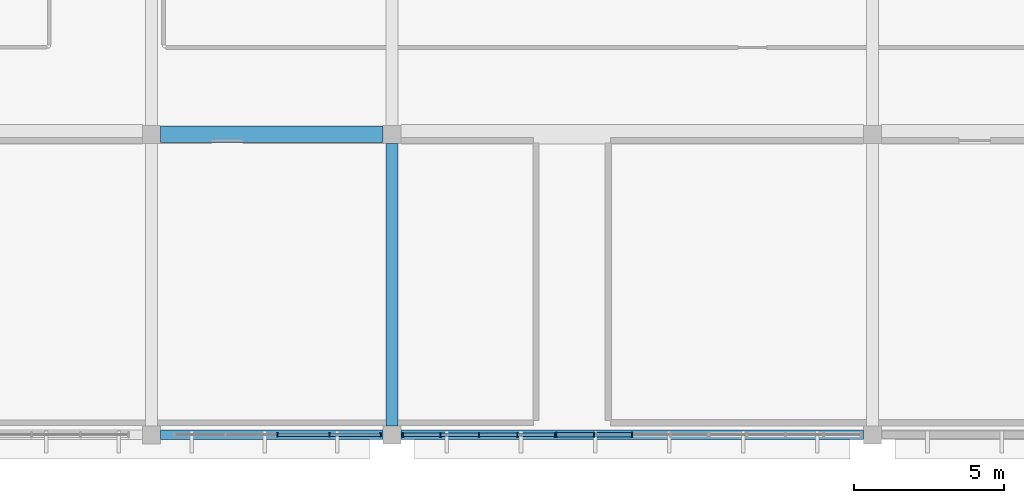
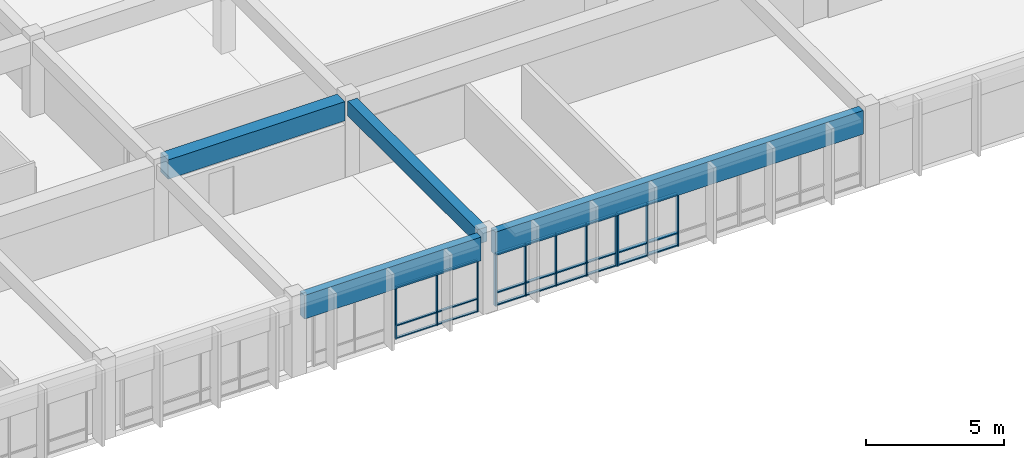
# One storey, part 29 of 155: 35 members, 4 beams, 3 elements without a shape of their own.
"""IFC4 building model written with IfcOpenShell, lengths in metres."""

from ifc_helpers import new_model, si_unit, direction, frame, origin, origin_2d, place, context, subcontext, project, spatial, rectangle, extrude, material, material_profile, profile_set, type_object, element, aggregate, save


model = new_model("IFC4")

# Units and contexts
model_context = context("Model", 3, precision=1e-05, world=origin(), true_north=direction((0.0, 1.0)))
body_context = subcontext(model_context, "Body", "Model", "MODEL_VIEW")
ifc_project = project(units=[si_unit("LENGTHUNIT", "METRE"), si_unit("AREAUNIT", "SQUARE_METRE"), si_unit("VOLUMEUNIT", "CUBIC_METRE"), si_unit("PLANEANGLEUNIT", "RADIAN"), si_unit("MASSUNIT", "GRAM", prefix="KILO")], contexts=[model_context])

# Site, building, storey
site_placement = place(None, origin())
site = spatial("IfcSite", under=ifc_project, at=site_placement, CompositionType="ELEMENT")
building_placement = place(site_placement, origin())
building = spatial("IfcBuilding", under=site, at=building_placement, Name="Larkveld Mobility Hub", CompositionType="ELEMENT")
storey_placement = place(building_placement, frame((0.0, 0.0, 8.39990234375)))
storey = spatial("IfcBuildingStorey", under=building, at=storey_placement, Name="L02", CompositionType="ELEMENT", Elevation=8.39990234375)

# Beams
ifc_material_1 = material(Name="Concrete C40/50", Category="concrete")
ifc_material_profile_1 = material_profile(ifc_material_1, rectangle(XDim=0.39990234375, YDim=0.64990234375, at=origin_2d()), Name="RC BM 400x650")
ifc_profile_set_1 = profile_set([ifc_material_profile_1], Name="Concrete C40/50")
beam_type_1 = type_object("IfcBeamType", Name="BM-RC4065", PredefinedType="BEAM", material=ifc_profile_set_1)
beam_1_placement = place(storey_placement, frame((152.0, 0.300048828125, 3.03515625), z_axis=(0.0, 1.0, 0.0), x_axis=(-1.0, 0.0, 0.0)))
element("IfcBeam", 1, at=beam_1_placement, inside=storey, type_object=beam_type_1, Name="Primary N-S Girder L02-0671", PredefinedType="BEAM", context=body_context, shape_type="SweptSolid", body=[
    extrude(rectangle(XDim=0.39990234375, YDim=0.64990234375, at=origin_2d()), origin(), (0.0, 0.0, 1.0), 9.39990234375),
])
ifc_material_profile_2 = material_profile(ifc_material_1, rectangle(XDim=0.550048828125, YDim=0.85009765625, at=origin_2d()), Name="RC BM 550x850")
ifc_profile_set_2 = profile_set([ifc_material_profile_2], Name="Concrete C40/50")
beam_type_2 = type_object("IfcBeamType", Name="BM-RC5585", PredefinedType="BEAM", material=ifc_profile_set_2)
beam_2_placement = place(storey_placement, frame((144.300048828125, 10.0, 2.93505859375), z_axis=(1.0, 0.0, 0.0), x_axis=(0.0, 1.0, 0.0)))
element("IfcBeam", 2, at=beam_2_placement, inside=storey, type_object=beam_type_2, Name="Primary E-W Girder L02-0495", PredefinedType="BEAM", context=body_context, shape_type="SweptSolid", body=[
    extrude(rectangle(XDim=0.550048828125, YDim=0.85009765625, at=origin_2d()), origin(), (0.0, 0.0, 1.0), 7.39990234375),
])
ifc_material_2 = material(Name="Precast concrete C50/60", Category="concrete")
ifc_material_profile_3 = material_profile(ifc_material_2, rectangle(XDim=0.320068359375, YDim=1.050048828125, at=origin_2d()), Name="PC SP 320x1050")
ifc_profile_set_3 = profile_set([ifc_material_profile_3], Name="Precast concrete C50/60")
beam_type_3 = type_object("IfcBeamType", Name="BM-SP32105", PredefinedType="SPANDREL", material=ifc_profile_set_3)
beam_3_placement = place(storey_placement, frame((144.300048828125, 0.0, 2.835205078125), z_axis=(1.0, 0.0, 0.0), x_axis=(0.0, 1.0, 0.0)))
element("IfcBeam", 3, at=beam_3_placement, inside=storey, type_object=beam_type_3, Name="Primary E-W Girder L02-0488", PredefinedType="SPANDREL", context=body_context, shape_type="SweptSolid", body=[
    extrude(rectangle(XDim=0.320068359375, YDim=1.050048828125, at=origin_2d()), origin(), (0.0, 0.0, 1.0), 7.39990234375),
])
beam_4_placement = place(storey_placement, frame((152.300048828125, 0.0, 2.835205078125), z_axis=(1.0, 0.0, 0.0), x_axis=(0.0, 1.0, 0.0)))
element("IfcBeam", 4, at=beam_4_placement, inside=storey, type_object=beam_type_3, Name="Primary E-W Girder L02-0489", PredefinedType="SPANDREL", context=body_context, shape_type="SweptSolid", body=[
    extrude(rectangle(XDim=0.320068359375, YDim=1.050048828125, at=origin_2d()), origin(), (0.0, 0.0, 1.0), 15.39990234375),
])

# Curtain wall, members
ifc_material_3 = material(Name="Anodised aluminium 6063-T6", Category="aluminium")
curtain_wall_type_1 = type_object("IfcCurtainWallType", Name="CW-SYS-09", PredefinedType="NOTDEFINED", material=ifc_material_3)
curtain_wall_1_placement = place(storey_placement, origin())
curtain_wall_1 = element("IfcCurtainWall", 5, at=curtain_wall_1_placement, inside=storey, type_object=curtain_wall_type_1, Name="Service Wing South Glazing L02 CW-105", PredefinedType="NOTDEFINED")
ifc_material_profile_4 = material_profile(ifc_material_3, rectangle(XDim=0.050048828125, YDim=0.14990234375, at=origin_2d()), Name="ALU MULL 50x150")
ifc_profile_set_4 = profile_set([ifc_material_profile_4], Name="Anodised aluminium 6063-T6")
member_type_1 = type_object("IfcMemberType", Name="CW-MUL-01", PredefinedType="MULLION", material=ifc_profile_set_4)
member_1_placement = place(storey_placement, frame((152.375, 0.0, -0.001953125), z_axis=(0.0, 0.0, 1.0), x_axis=(1.0, 0.0, 0.0)))
member_1 = element("IfcMember", 6, at=member_1_placement, type_object=member_type_1, Name="CW09 mullion 1", PredefinedType="MULLION", context=body_context, shape_type="SweptSolid", body=[
    extrude(rectangle(XDim=0.050048828125, YDim=0.14990234375, at=origin_2d()), origin(), (0.0, 0.0, 1.0), 2.31201171875),
])
member_2_placement = place(storey_placement, frame((153.625, 0.0, -0.001953125), z_axis=(0.0, 0.0, 1.0), x_axis=(1.0, 0.0, 0.0)))
member_2 = element("IfcMember", 7, at=member_2_placement, type_object=member_type_1, Name="CW09 mullion 2", PredefinedType="MULLION", context=body_context, shape_type="SweptSolid", body=[
    extrude(rectangle(XDim=0.050048828125, YDim=0.14990234375, at=origin_2d()), origin(), (0.0, 0.0, 1.0), 2.31201171875),
])
member_3_placement = place(storey_placement, frame((154.89990234375, 0.0, -0.001953125), z_axis=(0.0, 0.0, 1.0), x_axis=(1.0, 0.0, 0.0)))
member_3 = element("IfcMember", 8, at=member_3_placement, type_object=member_type_1, Name="CW09 mullion 3", PredefinedType="MULLION", context=body_context, shape_type="SweptSolid", body=[
    extrude(rectangle(XDim=0.050048828125, YDim=0.14990234375, at=origin_2d()), origin(), (0.0, 0.0, 1.0), 2.31201171875),
])
member_4_placement = place(storey_placement, frame((156.175048828125, 0.0, -0.001953125), z_axis=(0.0, 0.0, 1.0), x_axis=(1.0, 0.0, 0.0)))
member_4 = element("IfcMember", 9, at=member_4_placement, type_object=member_type_1, Name="CW09 mullion 4", PredefinedType="MULLION", context=body_context, shape_type="SweptSolid", body=[
    extrude(rectangle(XDim=0.050048828125, YDim=0.14990234375, at=origin_2d()), origin(), (0.0, 0.0, 1.0), 2.31201171875),
])
member_5_placement = place(storey_placement, frame((157.425048828125, 0.0, -0.001953125), z_axis=(0.0, 0.0, 1.0), x_axis=(1.0, 0.0, 0.0)))
member_5 = element("IfcMember", 10, at=member_5_placement, type_object=member_type_1, Name="CW09 mullion 5", PredefinedType="MULLION", context=body_context, shape_type="SweptSolid", body=[
    extrude(rectangle(XDim=0.050048828125, YDim=0.14990234375, at=origin_2d()), origin(), (0.0, 0.0, 1.0), 2.31201171875),
])

curtain_wall_type_2 = type_object("IfcCurtainWallType", Name="CW-SYS-10", PredefinedType="NOTDEFINED", material=ifc_material_3)
curtain_wall_2_placement = place(storey_placement, origin())
curtain_wall_2 = element("IfcCurtainWall", 11, at=curtain_wall_2_placement, inside=storey, type_object=curtain_wall_type_2, Name="Service Wing South Glazing L02 CW-106", PredefinedType="NOTDEFINED")
ifc_material_profile_5 = material_profile(ifc_material_3, rectangle(XDim=0.050048828125, YDim=0.179931640625, at=origin_2d()), Name="ALU MULL 50x180")
ifc_profile_set_5 = profile_set([ifc_material_profile_5], Name="Anodised aluminium 6063-T6")
member_type_2 = type_object("IfcMemberType", Name="CW-MUL-02", PredefinedType="MULLION", material=ifc_profile_set_5)
member_6_placement = place(storey_placement, frame((157.47509765625, 0.0, -0.001953125), z_axis=(0.0, 0.0, 1.0), x_axis=(1.0, 0.0, 0.0)))
member_6 = element("IfcMember", 12, at=member_6_placement, type_object=member_type_2, Name="CW10 mullion 1", PredefinedType="MULLION", context=body_context, shape_type="SweptSolid", body=[
    extrude(rectangle(XDim=0.050048828125, YDim=0.179931640625, at=origin_2d()), origin(), (0.0, 0.0, 1.0), 2.31201171875),
])
member_7_placement = place(storey_placement, frame((158.72509765625, 0.0, -0.001953125), z_axis=(0.0, 0.0, 1.0), x_axis=(1.0, 0.0, 0.0)))
member_7 = element("IfcMember", 13, at=member_7_placement, type_object=member_type_2, Name="CW10 mullion 2", PredefinedType="MULLION", context=body_context, shape_type="SweptSolid", body=[
    extrude(rectangle(XDim=0.050048828125, YDim=0.179931640625, at=origin_2d()), origin(), (0.0, 0.0, 1.0), 2.31201171875),
])
member_8_placement = place(storey_placement, frame((160.0, 0.0, -0.001953125), z_axis=(0.0, 0.0, 1.0), x_axis=(1.0, 0.0, 0.0)))
member_8 = element("IfcMember", 14, at=member_8_placement, type_object=member_type_2, Name="CW10 mullion 3", PredefinedType="MULLION", context=body_context, shape_type="SweptSolid", body=[
    extrude(rectangle(XDim=0.050048828125, YDim=0.179931640625, at=origin_2d()), origin(), (0.0, 0.0, 1.0), 2.31201171875),
])

curtain_wall_type_3 = type_object("IfcCurtainWallType", Name="CW-SYS-08", PredefinedType="NOTDEFINED", material=ifc_material_3)
curtain_wall_3_placement = place(storey_placement, origin())
curtain_wall_3 = element("IfcCurtainWall", 15, at=curtain_wall_3_placement, inside=storey, type_object=curtain_wall_type_3, Name="Service Centre South Curtain Wall L02 CW-104", PredefinedType="NOTDEFINED")
ifc_material_profile_6 = material_profile(ifc_material_3, rectangle(XDim=0.050048828125, YDim=0.1298828125, at=origin_2d()), Name="ALU MULL 50x130")
ifc_profile_set_6 = profile_set([ifc_material_profile_6], Name="Anodised aluminium 6063-T6")
member_type_3 = type_object("IfcMemberType", Name="CW-MUL-04", PredefinedType="MULLION", material=ifc_profile_set_6)
member_9_placement = place(storey_placement, frame((148.195068359375, 0.0, -0.001953125), z_axis=(0.0, 0.0, 1.0), x_axis=(1.0, 0.0, 0.0)))
member_9 = element("IfcMember", 16, at=member_9_placement, type_object=member_type_3, Name="CW08 mullion 3", PredefinedType="MULLION", context=body_context, shape_type="SweptSolid", body=[
    extrude(rectangle(XDim=0.050048828125, YDim=0.1298828125, at=origin_2d()), origin(), (0.0, 0.0, 1.0), 2.31201171875),
])
member_10_placement = place(storey_placement, frame((149.923095703125, 0.0, -0.001953125), z_axis=(0.0, 0.0, 1.0), x_axis=(1.0, 0.0, 0.0)))
member_10 = element("IfcMember", 17, at=member_10_placement, type_object=member_type_3, Name="CW08 mullion 4", PredefinedType="MULLION", context=body_context, shape_type="SweptSolid", body=[
    extrude(rectangle(XDim=0.050048828125, YDim=0.1298828125, at=origin_2d()), origin(), (0.0, 0.0, 1.0), 2.31201171875),
])
member_11_placement = place(storey_placement, frame((151.625, 0.0, -0.001953125), z_axis=(0.0, 0.0, 1.0), x_axis=(1.0, 0.0, 0.0)))
member_11 = element("IfcMember", 18, at=member_11_placement, type_object=member_type_3, Name="CW08 mullion 5", PredefinedType="MULLION", context=body_context, shape_type="SweptSolid", body=[
    extrude(rectangle(XDim=0.050048828125, YDim=0.1298828125, at=origin_2d()), origin(), (0.0, 0.0, 1.0), 2.31201171875),
])

# Member
ifc_material_profile_7 = material_profile(ifc_material_3, rectangle(XDim=0.1201171875, YDim=0.050048828125, at=origin_2d()), Name="ALU TRAN 50x120")
ifc_profile_set_7 = profile_set([ifc_material_profile_7], Name="Anodised aluminium 6063-T6")
member_type_4 = type_object("IfcMemberType", Name="CW-TRN-01", PredefinedType="USERDEFINED", material=ifc_profile_set_7)
member_12_placement = place(storey_placement, frame((152.385009765625, 0.0, 0.030029296875), z_axis=(1.0, 0.0, 0.0), x_axis=(0.0, 1.0, 0.0)))
member_12 = element("IfcMember", 19, at=member_12_placement, type_object=member_type_4, Name="CW09 transom 1.1", ObjectType="TRANSOM", PredefinedType="USERDEFINED", context=body_context, shape_type="SweptSolid", body=[
    extrude(rectangle(XDim=0.1201171875, YDim=0.050048828125, at=origin_2d()), origin(), (0.0, 0.0, 1.0), 1.22509765625),
])

member_13_placement = place(storey_placement, frame((152.385009765625, 0.0, 0.5771484375), z_axis=(1.0, 0.0, 0.0), x_axis=(0.0, 1.0, 0.0)))
member_13 = element("IfcMember", 20, at=member_13_placement, type_object=member_type_4, Name="CW09 transom 1.2", ObjectType="TRANSOM", PredefinedType="USERDEFINED", context=body_context, shape_type="SweptSolid", body=[
    extrude(rectangle(XDim=0.1201171875, YDim=0.050048828125, at=origin_2d()), origin(), (0.0, 0.0, 1.0), 1.22509765625),
])

member_14_placement = place(storey_placement, frame((152.385009765625, 0.0, 2.278076171875), z_axis=(1.0, 0.0, 0.0), x_axis=(0.0, 1.0, 0.0)))
member_14 = element("IfcMember", 21, at=member_14_placement, type_object=member_type_4, Name="CW09 transom 1.3", ObjectType="TRANSOM", PredefinedType="USERDEFINED", context=body_context, shape_type="SweptSolid", body=[
    extrude(rectangle(XDim=0.1201171875, YDim=0.050048828125, at=origin_2d()), origin(), (0.0, 0.0, 1.0), 1.22509765625),
])

member_15_placement = place(storey_placement, frame((153.639892578125, 0.0, 0.030029296875), z_axis=(1.0, 0.0, 0.0), x_axis=(0.0, 1.0, 0.0)))
member_15 = element("IfcMember", 22, at=member_15_placement, type_object=member_type_4, Name="CW09 transom 2.1", ObjectType="TRANSOM", PredefinedType="USERDEFINED", context=body_context, shape_type="SweptSolid", body=[
    extrude(rectangle(XDim=0.1201171875, YDim=0.050048828125, at=origin_2d()), origin(), (0.0, 0.0, 1.0), 1.2451171875),
])

member_16_placement = place(storey_placement, frame((153.639892578125, 0.0, 0.5771484375), z_axis=(1.0, 0.0, 0.0), x_axis=(0.0, 1.0, 0.0)))
member_16 = element("IfcMember", 23, at=member_16_placement, type_object=member_type_4, Name="CW09 transom 2.2", ObjectType="TRANSOM", PredefinedType="USERDEFINED", context=body_context, shape_type="SweptSolid", body=[
    extrude(rectangle(XDim=0.1201171875, YDim=0.050048828125, at=origin_2d()), origin(), (0.0, 0.0, 1.0), 1.2451171875),
])

member_17_placement = place(storey_placement, frame((153.639892578125, 0.0, 2.278076171875), z_axis=(1.0, 0.0, 0.0), x_axis=(0.0, 1.0, 0.0)))
member_17 = element("IfcMember", 24, at=member_17_placement, type_object=member_type_4, Name="CW09 transom 2.3", ObjectType="TRANSOM", PredefinedType="USERDEFINED", context=body_context, shape_type="SweptSolid", body=[
    extrude(rectangle(XDim=0.1201171875, YDim=0.050048828125, at=origin_2d()), origin(), (0.0, 0.0, 1.0), 1.2451171875),
])

member_18_placement = place(storey_placement, frame((154.9150390625, 0.0, 0.030029296875), z_axis=(1.0, 0.0, 0.0), x_axis=(0.0, 1.0, 0.0)))
member_18 = element("IfcMember", 25, at=member_18_placement, type_object=member_type_4, Name="CW09 transom 3.1", ObjectType="TRANSOM", PredefinedType="USERDEFINED", context=body_context, shape_type="SweptSolid", body=[
    extrude(rectangle(XDim=0.1201171875, YDim=0.050048828125, at=origin_2d()), origin(), (0.0, 0.0, 1.0), 1.244873046875),
])

member_19_placement = place(storey_placement, frame((154.9150390625, 0.0, 0.5771484375), z_axis=(1.0, 0.0, 0.0), x_axis=(0.0, 1.0, 0.0)))
member_19 = element("IfcMember", 26, at=member_19_placement, type_object=member_type_4, Name="CW09 transom 3.2", ObjectType="TRANSOM", PredefinedType="USERDEFINED", context=body_context, shape_type="SweptSolid", body=[
    extrude(rectangle(XDim=0.1201171875, YDim=0.050048828125, at=origin_2d()), origin(), (0.0, 0.0, 1.0), 1.244873046875),
])

member_20_placement = place(storey_placement, frame((154.9150390625, 0.0, 2.278076171875), z_axis=(1.0, 0.0, 0.0), x_axis=(0.0, 1.0, 0.0)))
member_20 = element("IfcMember", 27, at=member_20_placement, type_object=member_type_4, Name="CW09 transom 3.3", ObjectType="TRANSOM", PredefinedType="USERDEFINED", context=body_context, shape_type="SweptSolid", body=[
    extrude(rectangle(XDim=0.1201171875, YDim=0.050048828125, at=origin_2d()), origin(), (0.0, 0.0, 1.0), 1.244873046875),
])

member_21_placement = place(storey_placement, frame((156.18994140625, 0.0, 0.030029296875), z_axis=(1.0, 0.0, 0.0), x_axis=(0.0, 1.0, 0.0)))
member_21 = element("IfcMember", 28, at=member_21_placement, type_object=member_type_4, Name="CW09 transom 4.1", ObjectType="TRANSOM", PredefinedType="USERDEFINED", context=body_context, shape_type="SweptSolid", body=[
    extrude(rectangle(XDim=0.1201171875, YDim=0.050048828125, at=origin_2d()), origin(), (0.0, 0.0, 1.0), 1.22509765625),
])

member_22_placement = place(storey_placement, frame((156.18994140625, 0.0, 0.5771484375), z_axis=(1.0, 0.0, 0.0), x_axis=(0.0, 1.0, 0.0)))
member_22 = element("IfcMember", 29, at=member_22_placement, type_object=member_type_4, Name="CW09 transom 4.2", ObjectType="TRANSOM", PredefinedType="USERDEFINED", context=body_context, shape_type="SweptSolid", body=[
    extrude(rectangle(XDim=0.1201171875, YDim=0.050048828125, at=origin_2d()), origin(), (0.0, 0.0, 1.0), 1.22509765625),
])

member_23_placement = place(storey_placement, frame((156.18994140625, 0.0, 2.278076171875), z_axis=(1.0, 0.0, 0.0), x_axis=(0.0, 1.0, 0.0)))
member_23 = element("IfcMember", 30, at=member_23_placement, type_object=member_type_4, Name="CW09 transom 4.3", ObjectType="TRANSOM", PredefinedType="USERDEFINED", context=body_context, shape_type="SweptSolid", body=[
    extrude(rectangle(XDim=0.1201171875, YDim=0.050048828125, at=origin_2d()), origin(), (0.0, 0.0, 1.0), 1.22509765625),
])

aggregate(curtain_wall_1, [member_1, member_2, member_3, member_4, member_5, member_12, member_13, member_14, member_15, member_16, member_17, member_18, member_19, member_20, member_21, member_22, member_23])

ifc_material_profile_8 = material_profile(ifc_material_3, rectangle(XDim=0.14990234375, YDim=0.050048828125, at=origin_2d()), Name="ALU TRAN 50x150")
ifc_profile_set_8 = profile_set([ifc_material_profile_8], Name="Anodised aluminium 6063-T6")
member_type_5 = type_object("IfcMemberType", Name="CW-TRN-02", PredefinedType="USERDEFINED", material=ifc_profile_set_8)
member_24_placement = place(storey_placement, frame((157.485107421875, 0.0, 0.030029296875), z_axis=(1.0, 0.0, 0.0), x_axis=(0.0, 1.0, 0.0)))
member_24 = element("IfcMember", 31, at=member_24_placement, type_object=member_type_5, Name="CW10 transom 1.1", ObjectType="TRANSOM", PredefinedType="USERDEFINED", context=body_context, shape_type="SweptSolid", body=[
    extrude(rectangle(XDim=0.14990234375, YDim=0.050048828125, at=origin_2d()), origin(), (0.0, 0.0, 1.0), 1.224853515625),
])

member_25_placement = place(storey_placement, frame((157.485107421875, 0.0, 0.5771484375), z_axis=(1.0, 0.0, 0.0), x_axis=(0.0, 1.0, 0.0)))
member_25 = element("IfcMember", 32, at=member_25_placement, type_object=member_type_5, Name="CW10 transom 1.2", ObjectType="TRANSOM", PredefinedType="USERDEFINED", context=body_context, shape_type="SweptSolid", body=[
    extrude(rectangle(XDim=0.14990234375, YDim=0.050048828125, at=origin_2d()), origin(), (0.0, 0.0, 1.0), 1.224853515625),
])

member_26_placement = place(storey_placement, frame((157.485107421875, 0.0, 2.278076171875), z_axis=(1.0, 0.0, 0.0), x_axis=(0.0, 1.0, 0.0)))
member_26 = element("IfcMember", 33, at=member_26_placement, type_object=member_type_5, Name="CW10 transom 1.3", ObjectType="TRANSOM", PredefinedType="USERDEFINED", context=body_context, shape_type="SweptSolid", body=[
    extrude(rectangle(XDim=0.14990234375, YDim=0.050048828125, at=origin_2d()), origin(), (0.0, 0.0, 1.0), 1.224853515625),
])

member_27_placement = place(storey_placement, frame((158.739990234375, 0.0, 0.030029296875), z_axis=(1.0, 0.0, 0.0), x_axis=(0.0, 1.0, 0.0)))
member_27 = element("IfcMember", 34, at=member_27_placement, type_object=member_type_5, Name="CW10 transom 2.1", ObjectType="TRANSOM", PredefinedType="USERDEFINED", context=body_context, shape_type="SweptSolid", body=[
    extrude(rectangle(XDim=0.14990234375, YDim=0.050048828125, at=origin_2d()), origin(), (0.0, 0.0, 1.0), 1.2451171875),
])

member_28_placement = place(storey_placement, frame((158.739990234375, 0.0, 0.5771484375), z_axis=(1.0, 0.0, 0.0), x_axis=(0.0, 1.0, 0.0)))
member_28 = element("IfcMember", 35, at=member_28_placement, type_object=member_type_5, Name="CW10 transom 2.2", ObjectType="TRANSOM", PredefinedType="USERDEFINED", context=body_context, shape_type="SweptSolid", body=[
    extrude(rectangle(XDim=0.14990234375, YDim=0.050048828125, at=origin_2d()), origin(), (0.0, 0.0, 1.0), 1.2451171875),
])

member_29_placement = place(storey_placement, frame((158.739990234375, 0.0, 2.278076171875), z_axis=(1.0, 0.0, 0.0), x_axis=(0.0, 1.0, 0.0)))
member_29 = element("IfcMember", 36, at=member_29_placement, type_object=member_type_5, Name="CW10 transom 2.3", ObjectType="TRANSOM", PredefinedType="USERDEFINED", context=body_context, shape_type="SweptSolid", body=[
    extrude(rectangle(XDim=0.14990234375, YDim=0.050048828125, at=origin_2d()), origin(), (0.0, 0.0, 1.0), 1.2451171875),
])

aggregate(curtain_wall_2, [member_6, member_7, member_8, member_24, member_25, member_26, member_27, member_28, member_29])

ifc_material_profile_9 = material_profile(ifc_material_3, rectangle(XDim=0.10009765625, YDim=0.050048828125, at=origin_2d()), Name="ALU TRAN 50x100")
ifc_profile_set_9 = profile_set([ifc_material_profile_9], Name="Anodised aluminium 6063-T6")
member_type_6 = type_object("IfcMemberType", Name="CW-TRN-04", PredefinedType="USERDEFINED", material=ifc_profile_set_9)
member_30_placement = place(storey_placement, frame((148.2099609375, 0.0, 0.030029296875), z_axis=(1.0, 0.0, 0.0), x_axis=(0.0, 1.0, 0.0)))
member_30 = element("IfcMember", 37, at=member_30_placement, type_object=member_type_6, Name="CW08 transom 3.1", ObjectType="TRANSOM", PredefinedType="USERDEFINED", context=body_context, shape_type="SweptSolid", body=[
    extrude(rectangle(XDim=0.10009765625, YDim=0.050048828125, at=origin_2d()), origin(), (0.0, 0.0, 1.0), 1.697998046875),
])

member_31_placement = place(storey_placement, frame((148.2099609375, 0.0, 0.5771484375), z_axis=(1.0, 0.0, 0.0), x_axis=(0.0, 1.0, 0.0)))
member_31 = element("IfcMember", 38, at=member_31_placement, type_object=member_type_6, Name="CW08 transom 3.2", ObjectType="TRANSOM", PredefinedType="USERDEFINED", context=body_context, shape_type="SweptSolid", body=[
    extrude(rectangle(XDim=0.10009765625, YDim=0.050048828125, at=origin_2d()), origin(), (0.0, 0.0, 1.0), 1.697998046875),
])

member_32_placement = place(storey_placement, frame((148.2099609375, 0.0, 2.278076171875), z_axis=(1.0, 0.0, 0.0), x_axis=(0.0, 1.0, 0.0)))
member_32 = element("IfcMember", 39, at=member_32_placement, type_object=member_type_6, Name="CW08 transom 3.3", ObjectType="TRANSOM", PredefinedType="USERDEFINED", context=body_context, shape_type="SweptSolid", body=[
    extrude(rectangle(XDim=0.10009765625, YDim=0.050048828125, at=origin_2d()), origin(), (0.0, 0.0, 1.0), 1.697998046875),
])

member_33_placement = place(storey_placement, frame((149.93798828125, 0.0, 0.030029296875), z_axis=(1.0, 0.0, 0.0), x_axis=(0.0, 1.0, 0.0)))
member_33 = element("IfcMember", 40, at=member_33_placement, type_object=member_type_6, Name="CW08 transom 4.1", ObjectType="TRANSOM", PredefinedType="USERDEFINED", context=body_context, shape_type="SweptSolid", body=[
    extrude(rectangle(XDim=0.10009765625, YDim=0.050048828125, at=origin_2d()), origin(), (0.0, 0.0, 1.0), 1.677001953125),
])

member_34_placement = place(storey_placement, frame((149.93798828125, 0.0, 0.5771484375), z_axis=(1.0, 0.0, 0.0), x_axis=(0.0, 1.0, 0.0)))
member_34 = element("IfcMember", 41, at=member_34_placement, type_object=member_type_6, Name="CW08 transom 4.2", ObjectType="TRANSOM", PredefinedType="USERDEFINED", context=body_context, shape_type="SweptSolid", body=[
    extrude(rectangle(XDim=0.10009765625, YDim=0.050048828125, at=origin_2d()), origin(), (0.0, 0.0, 1.0), 1.677001953125),
])

member_35_placement = place(storey_placement, frame((149.93798828125, 0.0, 2.278076171875), z_axis=(1.0, 0.0, 0.0), x_axis=(0.0, 1.0, 0.0)))
member_35 = element("IfcMember", 42, at=member_35_placement, type_object=member_type_6, Name="CW08 transom 4.3", ObjectType="TRANSOM", PredefinedType="USERDEFINED", context=body_context, shape_type="SweptSolid", body=[
    extrude(rectangle(XDim=0.10009765625, YDim=0.050048828125, at=origin_2d()), origin(), (0.0, 0.0, 1.0), 1.677001953125),
])

aggregate(curtain_wall_3, [member_9, member_10, member_11, member_30, member_31, member_32, member_33, member_34, member_35])

save(model, "model.ifc")
